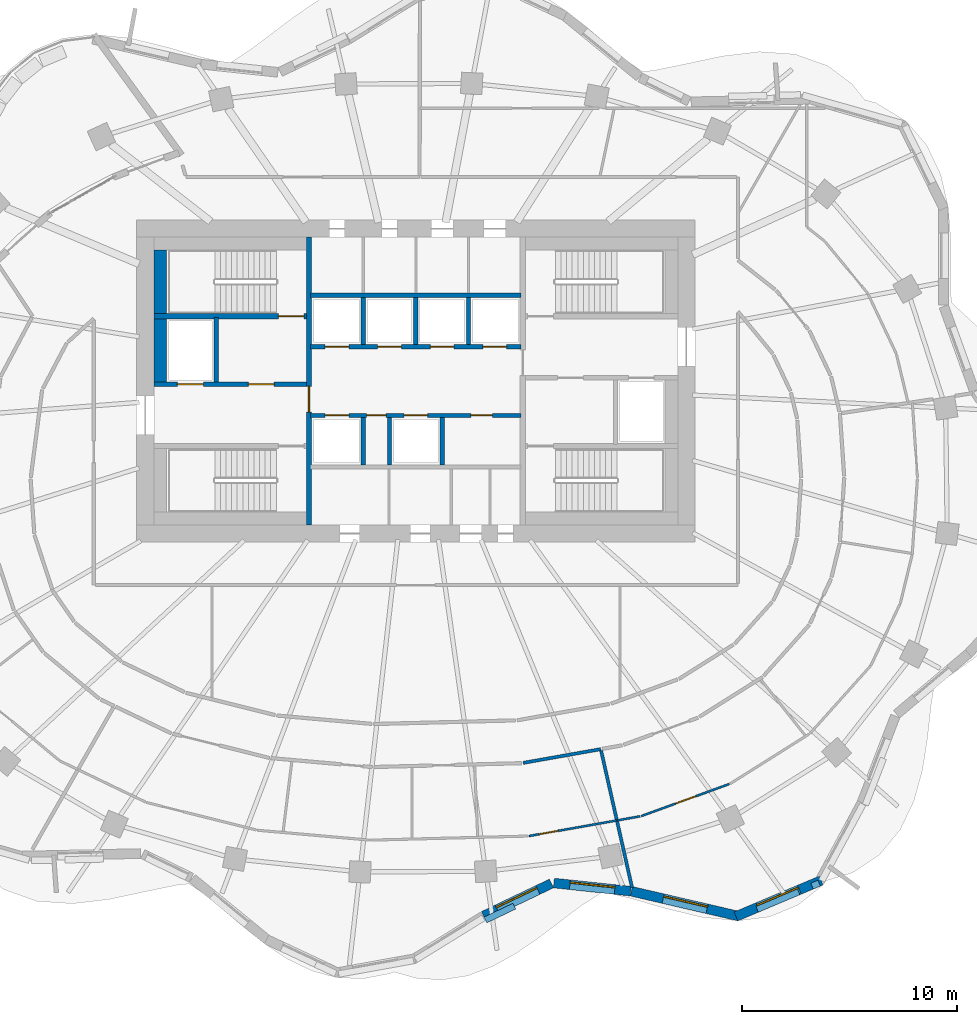
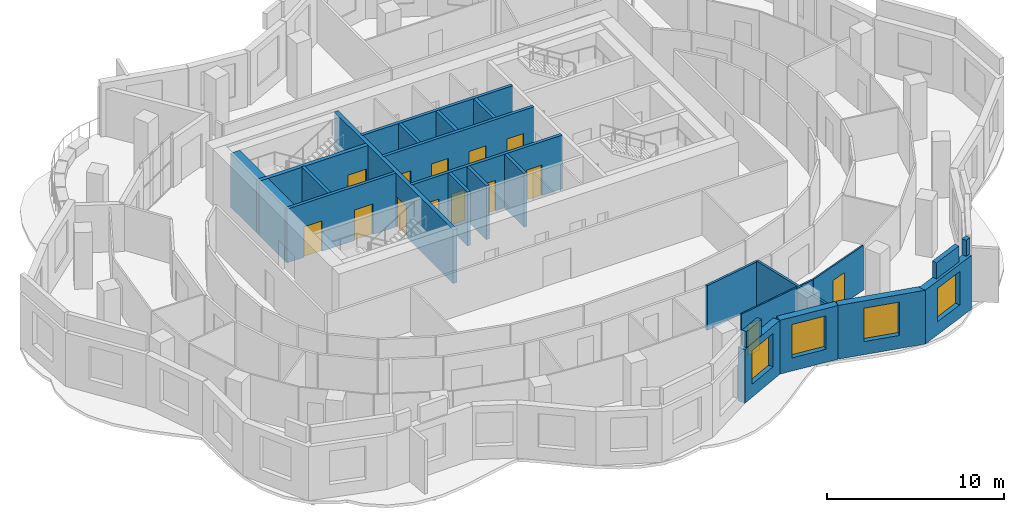
# One storey, part 7 of 13: 27 walls, 14 doors, 4 windows, 18 openings.
"""IFC4 building model written with IfcOpenShell, lengths in metres."""

from ifc_helpers import new_model, si_unit, direction, frame, frame_2d, origin, place, context, subcontext, project, spatial, rectangle, extrude, material, layer, layer_set, type_object, element, fill, save


model = new_model("IFC4")

# Units and contexts
model_context = context("Model", 3, precision=1e-05, world=origin(), true_north=direction((0.0, 1.0)))
body_context = subcontext(model_context, "Body", "Model", "MODEL_VIEW")
ifc_project = project(units=[si_unit("LENGTHUNIT", "METRE"), si_unit("AREAUNIT", "SQUARE_METRE"), si_unit("VOLUMEUNIT", "CUBIC_METRE"), si_unit("PLANEANGLEUNIT", "RADIAN"), si_unit("MASSUNIT", "GRAM", prefix="KILO")], contexts=[model_context])

# Site, building, storey
site_placement = place(None, origin())
site = spatial("IfcSite", under=ifc_project, at=site_placement, CompositionType="ELEMENT")
building_placement = place(site_placement, origin())
building = spatial("IfcBuilding", under=site, at=building_placement, Name="Rubra Terraces Tower", CompositionType="ELEMENT")
storey_placement = place(building_placement, frame((0.0, 0.0, 189.60009765625)))
storey = spatial("IfcBuildingStorey", under=building, at=storey_placement, Name="L46", CompositionType="ELEMENT", Elevation=189.60009765625)

# Wall, opening, window
ifc_material_1 = material(Name="Brick masonry red-brown", Category="masonry")
ifc_layer_1 = layer(ifc_material_1, 0.449951171875)
ifc_layer_set_1 = layer_set([ifc_layer_1], Name="Brick masonry red-brown")
wall_type_1 = type_object("IfcWallType", Name="Brick facade wall 450", PredefinedType="SOLIDWALL", material=ifc_layer_set_1)
wall_1_placement = place(storey_placement, frame((3.153564453125, -20.406005859375, 0.0), z_axis=(0.0, 0.0, 1.0), x_axis=(0.902333313, 0.431038968367, 0.0)))
wall_1 = element("IfcWall", 1, at=wall_1_placement, inside=storey, type_object=wall_type_1, Name="Facade wall L46 bay 32", PredefinedType="SOLIDWALL", context=body_context, shape_type="SweptSolid", body=[
    extrude(rectangle(XDim=3.50537109375, YDim=0.449951171875, at=frame_2d((1.752685546875, 0.0))), origin(), (0.0, 0.0, 1.0), 3.699951171875),
])
opening_1_placement = place(wall_1_placement, frame((0.702880859375, 0.0, 0.89990234375)))
opening_1 = element("IfcOpeningElement", 2, at=opening_1_placement, cuts=wall_1, Name="Opening W1B", PredefinedType="OPENING", context=body_context, shape_type="SweptSolid", body=[
    extrude(rectangle(XDim=2.10009765625, YDim=2.300048828125, at=frame_2d((1.050048828125, 1.14990234375))), frame((0.0, 0.23486328125, 0.0), z_axis=(0.0, -1.0, 0.0), x_axis=(1.0, 0.0, 0.0)), (0.0, 0.0, 1.0), 0.469970703125),
])
ifc_material_2 = material(Name="Clear glass in aluminium frame", Category="aluminium")
window_type = type_object("IfcWindowType", Name="Fixed deep-set window tall storey 2100 x 2300", PartitioningType="SINGLE_PANEL", PredefinedType="WINDOW", material=ifc_material_2)
window_1_placement = place(opening_1_placement, origin())
window_1 = element("IfcWindow", 3, at=window_1_placement, inside=storey, type_object=window_type, Name="Window L46 bay 32", OverallHeight=2.300048828125, OverallWidth=2.10009765625, PartitioningType="SINGLE_PANEL", PredefinedType="WINDOW", context=body_context, shape_type="SweptSolid", body=[
    extrude(rectangle(XDim=2.10009765625, YDim=2.300048828125, at=frame_2d((1.050048828125, 1.14990234375))), frame((0.0, 0.135009765625, 0.0), z_axis=(0.0, -1.0, 0.0), x_axis=(1.0, 0.0, 0.0)), (0.0, 0.0, 1.0), 0.06005859375),
])
fill(opening_1, window_1)

wall_2_placement = place(storey_placement, frame((6.4267578125, -18.875244140625, 0.0), z_axis=(0.0, 0.0, 1.0), x_axis=(0.994433468803, -0.10536638992, 0.0)))
wall_2 = element("IfcWall", 4, at=wall_2_placement, inside=storey, type_object=wall_type_1, Name="Facade wall L46 bay 33", PredefinedType="SOLIDWALL", context=body_context, shape_type="SweptSolid", body=[
    extrude(rectangle(XDim=3.598388671875, YDim=0.449951171875, at=frame_2d((1.79931640625, 0.0))), origin(), (0.0, 0.0, 1.0), 3.699951171875),
])
opening_2_placement = place(wall_2_placement, frame((0.749267578125, 0.0, 0.89990234375)))
opening_2 = element("IfcOpeningElement", 5, at=opening_2_placement, cuts=wall_2, Name="Opening W1B", PredefinedType="OPENING", context=body_context, shape_type="SweptSolid", body=[
    extrude(rectangle(XDim=2.10009765625, YDim=2.300048828125, at=frame_2d((1.050048828125, 1.14990234375))), frame((0.0, 0.23486328125, 0.0), z_axis=(0.0, -1.0, 0.0), x_axis=(1.0, 0.0, 0.0)), (0.0, 0.0, 1.0), 0.469970703125),
])
window_2_placement = place(opening_2_placement, origin())
window_2 = element("IfcWindow", 6, at=window_2_placement, inside=storey, type_object=window_type, Name="Window L46 bay 33", OverallHeight=2.300048828125, OverallWidth=2.10009765625, PartitioningType="SINGLE_PANEL", PredefinedType="WINDOW", context=body_context, shape_type="SweptSolid", body=[
    extrude(rectangle(XDim=2.10009765625, YDim=2.300048828125, at=frame_2d((1.050048828125, 1.14990234375))), frame((0.0, 0.135009765625, 0.0), z_axis=(0.0, -1.0, 0.0), x_axis=(1.0, 0.0, 0.0)), (0.0, 0.0, 1.0), 0.06005859375),
])
fill(opening_2, window_2)

wall_3_placement = place(storey_placement, frame((10.0341796875, -19.258544921875, 0.0), z_axis=(0.0, 0.0, 1.0), x_axis=(0.974223567844, -0.225584662283, 0.0)))
wall_3 = element("IfcWall", 7, at=wall_3_placement, inside=storey, type_object=wall_type_1, Name="Facade wall L46 bay 34", PredefinedType="SOLIDWALL", context=body_context, shape_type="SweptSolid", body=[
    extrude(rectangle(XDim=5.138671875, YDim=0.449951171875, at=frame_2d((2.5693359375, 0.0))), origin(), (0.0, 0.0, 1.0), 3.699951171875),
])
opening_3_placement = place(wall_3_placement, frame((1.51904296875, 0.0, 0.89990234375)))
opening_3 = element("IfcOpeningElement", 8, at=opening_3_placement, cuts=wall_3, Name="Opening W1B", PredefinedType="OPENING", context=body_context, shape_type="SweptSolid", body=[
    extrude(rectangle(XDim=2.10009765625, YDim=2.300048828125, at=frame_2d((1.050048828125, 1.14990234375))), frame((0.0, 0.23486328125, 0.0), z_axis=(0.0, -1.0, 0.0), x_axis=(1.0, 0.0, 0.0)), (0.0, 0.0, 1.0), 0.469970703125),
])
window_3_placement = place(opening_3_placement, origin())
window_3 = element("IfcWindow", 9, at=window_3_placement, inside=storey, type_object=window_type, Name="Window L46 bay 34", OverallHeight=2.300048828125, OverallWidth=2.10009765625, PartitioningType="SINGLE_PANEL", PredefinedType="WINDOW", context=body_context, shape_type="SweptSolid", body=[
    extrude(rectangle(XDim=2.10009765625, YDim=2.300048828125, at=frame_2d((1.050048828125, 1.14990234375))), frame((0.0, 0.135009765625, 0.0), z_axis=(0.0, -1.0, 0.0), x_axis=(1.0, 0.0, 0.0)), (0.0, 0.0, 1.0), 0.06005859375),
])
fill(opening_3, window_3)

wall_4_placement = place(storey_placement, frame((14.906494140625, -20.4306640625, 0.0), z_axis=(0.0, 0.0, 1.0), x_axis=(0.921435803521, 0.388530642279, 0.0)))
wall_4 = element("IfcWall", 10, at=wall_4_placement, inside=storey, type_object=wall_type_1, Name="Facade wall L46 bay 35", PredefinedType="SOLIDWALL", context=body_context, shape_type="SweptSolid", body=[
    extrude(rectangle(XDim=4.308837890625, YDim=0.449951171875, at=frame_2d((2.154296875, 0.0))), origin(), (0.0, 0.0, 1.0), 3.699951171875),
])
opening_4_placement = place(wall_4_placement, frame((1.104248046875, 0.0, 0.89990234375)))
opening_4 = element("IfcOpeningElement", 11, at=opening_4_placement, cuts=wall_4, Name="Opening W1B", PredefinedType="OPENING", context=body_context, shape_type="SweptSolid", body=[
    extrude(rectangle(XDim=2.10009765625, YDim=2.300048828125, at=frame_2d((1.050048828125, 1.14990234375))), frame((0.0, 0.23486328125, 0.0), z_axis=(0.0, -1.0, 0.0), x_axis=(1.0, 0.0, 0.0)), (0.0, 0.0, 1.0), 0.469970703125),
])
window_4_placement = place(opening_4_placement, origin())
window_4 = element("IfcWindow", 12, at=window_4_placement, inside=storey, type_object=window_type, Name="Window L46 bay 35", OverallHeight=2.300048828125, OverallWidth=2.10009765625, PartitioningType="SINGLE_PANEL", PredefinedType="WINDOW", context=body_context, shape_type="SweptSolid", body=[
    extrude(rectangle(XDim=2.10009765625, YDim=2.300048828125, at=frame_2d((1.050048828125, 1.14990234375))), frame((0.0, 0.135009765625, 0.0), z_axis=(0.0, -1.0, 0.0), x_axis=(1.0, 0.0, 0.0)), (0.0, 0.0, 1.0), 0.06005859375),
])
fill(opening_4, window_4)

# Walls
ifc_layer_2 = layer(ifc_material_1, 0.300048828125)
ifc_layer_set_2 = layer_set([ifc_layer_2], Name="Brick masonry red-brown")
wall_type_2 = type_object("IfcWallType", Name="Brick parapet 300", PredefinedType="PARAPET", material=ifc_layer_set_2)
wall_5_placement = place(storey_placement, frame((3.2392578125, -20.594482421875, 3.89990234375), z_axis=(0.0, 0.0, 1.0), x_axis=(0.902344893923, 0.431014724123, 0.0)))
element("IfcWall", 13, at=wall_5_placement, inside=storey, type_object=wall_type_2, Name="Parapet L46 bay 32", PredefinedType="PARAPET", context=body_context, shape_type="SweptSolid", body=[
    extrude(rectangle(XDim=1.48974609375, YDim=0.300048828125, at=frame_2d((0.744873046875, 0.0))), origin(), (0.0, 0.0, 1.0), 1.10009765625),
])
wall_6_placement = place(storey_placement, frame((15.890869140625, -20.096923828125, 3.89990234375), z_axis=(0.0, 0.0, 1.0), x_axis=(0.921468908678, 0.388452121038, 0.0)))
element("IfcWall", 14, at=wall_6_placement, inside=storey, type_object=wall_type_2, Name="Parapet L46 bay 35", PredefinedType="PARAPET", context=body_context, shape_type="SweptSolid", body=[
    extrude(rectangle(XDim=2.09912109375, YDim=0.300048828125, at=frame_2d((1.049560546875, 0.0))), origin(), (0.0, 0.0, 1.0), 1.10009765625),
])
wall_7_placement = place(storey_placement, frame((18.4462890625, -19.01953125, 3.89990234375), z_axis=(0.0, 0.0, 1.0), x_axis=(0.921356634102, 0.388718346358, 0.0)))
element("IfcWall", 15, at=wall_7_placement, inside=storey, type_object=wall_type_2, Name="Parapet L46 bay 35.2", PredefinedType="PARAPET", context=body_context, shape_type="SweptSolid", body=[
    extrude(rectangle(XDim=0.363037109375, YDim=0.300048828125, at=frame_2d((0.181640625, 0.0))), origin(), (0.0, 0.0, 1.0), 1.10009765625),
])
ifc_material_3 = material(Name="Plasterboard on steel stud, mineral wool infill", Category="steel")
ifc_layer_3 = layer(ifc_material_3, 0.14990234375)
ifc_layer_set_3 = layer_set([ifc_layer_3], Name="Plasterboard on steel stud, mineral wool infill")
wall_type_3 = type_object("IfcWallType", Name="CORRIDOR PARTITION 150", PredefinedType="PARTITIONING", material=ifc_layer_set_3)
wall_8_placement = place(storey_placement, frame((4.994873046875, -13.28125, 0.0), z_axis=(0.0, 0.0, 1.0), x_axis=(0.984641336619, 0.174589341658, 0.0)))
element("IfcWall", 16, at=wall_8_placement, inside=storey, type_object=wall_type_3, Name="PARTITION", PredefinedType="PARTITIONING", context=body_context, shape_type="SweptSolid", body=[
    extrude(rectangle(XDim=3.672119140625, YDim=0.14990234375, at=frame_2d((1.8359375, 0.0))), origin(), (0.0, 0.0, 1.0), 3.083984375),
])
ifc_material_4 = material(Name="Concrete C40", Category="concrete")
ifc_layer_4 = layer(ifc_material_4, 0.60009765625)
ifc_layer_set_4 = layer_set([ifc_layer_4], Name="Concrete C40")
wall_type_4 = type_object("IfcWallType", Name="Core lining wall 600 concrete", PredefinedType="SOLIDWALL", material=ifc_layer_set_4)
wall_9_placement = place(storey_placement, frame((-11.89990234375, 4.449951171875, 0.0), z_axis=(0.0, 0.0, 1.0), x_axis=(0.0, 1.0, 0.0)))
element("IfcWall", 17, at=wall_9_placement, inside=storey, type_object=wall_type_4, Name="CORE LINING WALL L46", PredefinedType="SOLIDWALL", context=body_context, shape_type="SweptSolid", body=[
    extrude(rectangle(XDim=3.0, YDim=0.60009765625, at=frame_2d((1.5, 0.0))), origin(), (0.0, 0.0, 1.0), 3.699951171875),
])
wall_10_placement = place(storey_placement, frame((-11.89990234375, 7.64990234375, 0.0), z_axis=(0.0, 0.0, 1.0), x_axis=(0.0, 1.0, 0.0)))
element("IfcWall", 18, at=wall_10_placement, inside=storey, type_object=wall_type_4, Name="CORE LINING WALL L46", PredefinedType="SOLIDWALL", context=body_context, shape_type="SweptSolid", body=[
    extrude(rectangle(XDim=2.9501953125, YDim=0.60009765625, at=frame_2d((1.47509765625, 0.0))), origin(), (0.0, 0.0, 1.0), 3.699951171875),
])

# Wall, openings, doors
ifc_material_5 = material(Name="Concrete C30", Category="concrete")
ifc_layer_5 = layer(ifc_material_5, 0.199951171875)
ifc_layer_set_5 = layer_set([ifc_layer_5], Name="Concrete C30")
wall_type_5 = type_object("IfcWallType", Name="Core wall 200 concrete", PredefinedType="SOLIDWALL", material=ifc_layer_set_5)
wall_11_placement = place(storey_placement, frame((-12.199951171875, 4.35009765625, 0.0), z_axis=(0.0, 0.0, 1.0), x_axis=(1.0, 0.0, 0.0)))
wall_11 = element("IfcWall", 19, at=wall_11_placement, inside=storey, type_object=wall_type_5, Name="STAIR WALL L46", PredefinedType="SOLIDWALL", context=body_context, shape_type="SweptSolid", body=[
    extrude(rectangle(XDim=7.099853515625, YDim=0.199951171875, at=frame_2d((3.5498046875, 0.0))), origin(), (0.0, 0.0, 1.0), 3.699951171875),
])
opening_5_placement = place(wall_11_placement, frame((4.39990234375, 0.0, 0.0)))
opening_5 = element("IfcOpeningElement", 20, at=opening_5_placement, cuts=wall_11, Name="Opening L46.C05", PredefinedType="OPENING", context=body_context, shape_type="SweptSolid", body=[
    extrude(rectangle(XDim=1.199951171875, YDim=2.10009765625, at=frame_2d((0.60009765625, 1.050048828125))), frame((0.0, 0.10986328125, 0.0), z_axis=(0.0, -1.0, 0.0), x_axis=(1.0, 0.0, 0.0)), (0.0, 0.0, 1.0), 0.219970703125),
])
opening_6_placement = place(wall_11_placement, frame((1.10009765625, 0.0, 0.0)))
opening_6 = element("IfcOpeningElement", 21, at=opening_6_placement, cuts=wall_11, Name="Opening L46.C11", PredefinedType="OPENING", context=body_context, shape_type="SweptSolid", body=[
    extrude(rectangle(XDim=1.199951171875, YDim=2.10009765625, at=frame_2d((0.60009765625, 1.050048828125))), frame((0.0, 0.10986328125, 0.0), z_axis=(0.0, -1.0, 0.0), x_axis=(1.0, 0.0, 0.0)), (0.0, 0.0, 1.0), 0.219970703125),
])
ifc_material_6 = material(Name="Painted steel", Category="steel")
door_type_1 = type_object("IfcDoorType", Name="Fire door 1200x2100 single", OperationType="NOTDEFINED", PredefinedType="DOOR", material=ifc_material_6)
door_1_placement = place(opening_5_placement, origin())
door_1 = element("IfcDoor", 22, at=door_1_placement, inside=storey, type_object=door_type_1, Name="Stair vestibule door S2", OperationType="SINGLE_SWING_LEFT", OverallHeight=2.10009765625, OverallWidth=1.199951171875, PredefinedType="DOOR", context=body_context, shape_type="SweptSolid", body=[
    extrude(rectangle(XDim=1.199951171875, YDim=2.10009765625, at=frame_2d((0.60009765625, 1.050048828125))), frame((0.0, 0.02490234375, 0.0), z_axis=(0.0, -1.0, 0.0), x_axis=(1.0, 0.0, 0.0)), (0.0, 0.0, 1.0), 0.050048828125),
])
fill(opening_5, door_1)
ifc_material_7 = material(Name="Stainless steel", Category="steel")
door_type_2 = type_object("IfcDoorType", Name="Lift landing door 1200x2100", OperationType="NOTDEFINED", PredefinedType="DOOR", material=ifc_material_7)
door_2_placement = place(opening_6_placement, origin())
door_2 = element("IfcDoor", 23, at=door_2_placement, inside=storey, type_object=door_type_2, Name="Landing door FF1", OperationType="SLIDING_TO_RIGHT", OverallHeight=2.10009765625, OverallWidth=1.199951171875, PredefinedType="DOOR", context=body_context, shape_type="SweptSolid", body=[
    extrude(rectangle(XDim=1.199951171875, YDim=2.10009765625, at=frame_2d((0.60009765625, 1.050048828125))), frame((0.0, 0.02490234375, 0.0), z_axis=(0.0, -1.0, 0.0), x_axis=(1.0, 0.0, 0.0)), (0.0, 0.0, 1.0), 0.050048828125),
])
fill(opening_6, door_2)

# Wall
wall_12_placement = place(storey_placement, frame((-9.300048828125, 4.449951171875, 0.0), z_axis=(0.0, 0.0, 1.0), x_axis=(0.0, 1.0, 0.0)))
element("IfcWall", 24, at=wall_12_placement, inside=storey, type_object=wall_type_5, Name="STAIR WALL L46", PredefinedType="SOLIDWALL", context=body_context, shape_type="SweptSolid", body=[
    extrude(rectangle(XDim=3.0, YDim=0.199951171875, at=frame_2d((1.5, 0.0))), origin(), (0.0, 0.0, 1.0), 3.699951171875),
])

# Wall, openings, doors
wall_13_placement = place(storey_placement, frame((-4.89990234375, 2.89990234375, 0.0), z_axis=(0.0, 0.0, 1.0), x_axis=(1.0, 0.0, 0.0)))
wall_13 = element("IfcWall", 25, at=wall_13_placement, inside=storey, type_object=wall_type_5, Name="LIFT SHAFT WALL L46", PredefinedType="SOLIDWALL", context=body_context, shape_type="SweptSolid", body=[
    extrude(rectangle(XDim=9.7998046875, YDim=0.199951171875, at=frame_2d((4.89990234375, 0.0))), origin(), (0.0, 0.0, 1.0), 3.699951171875),
])
opening_7_placement = place(wall_13_placement, frame((0.675048828125, 0.0, 0.0)))
opening_7 = element("IfcOpeningElement", 26, at=opening_7_placement, cuts=wall_13, Name="Opening L46.C13", PredefinedType="OPENING", context=body_context, shape_type="SweptSolid", body=[
    extrude(rectangle(XDim=1.10009765625, YDim=2.10009765625, at=frame_2d((0.550048828125, 1.050048828125))), frame((0.0, 0.10986328125, 0.0), z_axis=(0.0, -1.0, 0.0), x_axis=(1.0, 0.0, 0.0)), (0.0, 0.0, 1.0), 0.219970703125),
])
opening_8_placement = place(wall_13_placement, frame((2.613037109375, 0.0, 0.0)))
opening_8 = element("IfcOpeningElement", 27, at=opening_8_placement, cuts=wall_13, Name="Opening L46.C14", PredefinedType="OPENING", context=body_context, shape_type="SweptSolid", body=[
    extrude(rectangle(XDim=0.89990234375, YDim=2.10009765625, at=frame_2d((0.449951171875, 1.050048828125))), frame((0.0, 0.10986328125, 0.0), z_axis=(0.0, -1.0, 0.0), x_axis=(1.0, 0.0, 0.0)), (0.0, 0.0, 1.0), 0.219970703125),
])
opening_9_placement = place(wall_13_placement, frame((4.35009765625, 0.0, 0.0)))
opening_9 = element("IfcOpeningElement", 28, at=opening_9_placement, cuts=wall_13, Name="Opening L46.C15", PredefinedType="OPENING", context=body_context, shape_type="SweptSolid", body=[
    extrude(rectangle(XDim=1.10009765625, YDim=2.10009765625, at=frame_2d((0.550048828125, 1.050048828125))), frame((0.0, 0.10986328125, 0.0), z_axis=(0.0, -1.0, 0.0), x_axis=(1.0, 0.0, 0.0)), (0.0, 0.0, 1.0), 0.219970703125),
])
opening_10_placement = place(wall_13_placement, frame((7.462890625, 0.0, 0.0)))
opening_10 = element("IfcOpeningElement", 29, at=opening_10_placement, cuts=wall_13, Name="Opening L46.C16", PredefinedType="OPENING", context=body_context, shape_type="SweptSolid", body=[
    extrude(rectangle(XDim=1.0, YDim=2.10009765625, at=frame_2d((0.5, 1.050048828125))), frame((0.0, 0.10986328125, 0.0), z_axis=(0.0, -1.0, 0.0), x_axis=(1.0, 0.0, 0.0)), (0.0, 0.0, 1.0), 0.219970703125),
])
door_type_3 = type_object("IfcDoorType", Name="Fire door 1000x2100 single", OperationType="NOTDEFINED", PredefinedType="DOOR", material=ifc_material_6)
door_3_placement = place(opening_10_placement, origin())
door_3 = element("IfcDoor", 30, at=door_3_placement, inside=storey, type_object=door_type_3, Name="Tea point door", OperationType="SINGLE_SWING_RIGHT", OverallHeight=2.10009765625, OverallWidth=1.0, PredefinedType="DOOR", context=body_context, shape_type="SweptSolid", body=[
    extrude(rectangle(XDim=1.0, YDim=2.10009765625, at=frame_2d((0.5, 1.050048828125))), frame((0.0, 0.02490234375, 0.0), z_axis=(0.0, -1.0, 0.0), x_axis=(1.0, 0.0, 0.0)), (0.0, 0.0, 1.0), 0.050048828125),
])
fill(opening_10, door_3)
door_type_4 = type_object("IfcDoorType", Name="Fire door 900x2100 single", OperationType="NOTDEFINED", PredefinedType="DOOR", material=ifc_material_6)
door_4_placement = place(opening_8_placement, origin())
door_4 = element("IfcDoor", 31, at=door_4_placement, inside=storey, type_object=door_type_4, Name="Cleaner's store door", OperationType="SINGLE_SWING_RIGHT", OverallHeight=2.10009765625, OverallWidth=0.89990234375, PredefinedType="DOOR", context=body_context, shape_type="SweptSolid", body=[
    extrude(rectangle(XDim=0.89990234375, YDim=2.10009765625, at=frame_2d((0.449951171875, 1.050048828125))), frame((0.0, 0.02490234375, 0.0), z_axis=(0.0, -1.0, 0.0), x_axis=(1.0, 0.0, 0.0)), (0.0, 0.0, 1.0), 0.050048828125),
])
fill(opening_8, door_4)
door_type_5 = type_object("IfcDoorType", Name="Lift landing door 1100x2100", OperationType="NOTDEFINED", PredefinedType="DOOR", material=ifc_material_7)
door_5_placement = place(opening_7_placement, origin())
door_5 = element("IfcDoor", 32, at=door_5_placement, inside=storey, type_object=door_type_5, Name="Landing door HB1", OperationType="SLIDING_TO_RIGHT", OverallHeight=2.10009765625, OverallWidth=1.10009765625, PredefinedType="DOOR", context=body_context, shape_type="SweptSolid", body=[
    extrude(rectangle(XDim=1.10009765625, YDim=2.10009765625, at=frame_2d((0.550048828125, 1.050048828125))), frame((0.0, 0.02490234375, 0.0), z_axis=(0.0, -1.0, 0.0), x_axis=(1.0, 0.0, 0.0)), (0.0, 0.0, 1.0), 0.050048828125),
])
fill(opening_7, door_5)
door_6_placement = place(opening_9_placement, origin())
door_6 = element("IfcDoor", 33, at=door_6_placement, inside=storey, type_object=door_type_5, Name="Landing door HB2", OperationType="SLIDING_TO_LEFT", OverallHeight=2.10009765625, OverallWidth=1.10009765625, PredefinedType="DOOR", context=body_context, shape_type="SweptSolid", body=[
    extrude(rectangle(XDim=1.10009765625, YDim=2.10009765625, at=frame_2d((0.550048828125, 1.050048828125))), frame((0.0, 0.02490234375, 0.0), z_axis=(0.0, -1.0, 0.0), x_axis=(1.0, 0.0, 0.0)), (0.0, 0.0, 1.0), 0.050048828125),
])
fill(opening_9, door_6)

wall_14_placement = place(storey_placement, frame((-4.89990234375, 6.10009765625, 0.0), z_axis=(0.0, 0.0, 1.0), x_axis=(1.0, 0.0, 0.0)))
wall_14 = element("IfcWall", 34, at=wall_14_placement, inside=storey, type_object=wall_type_5, Name="LIFT SHAFT WALL L46", PredefinedType="SOLIDWALL", context=body_context, shape_type="SweptSolid", body=[
    extrude(rectangle(XDim=9.7998046875, YDim=0.199951171875, at=frame_2d((4.89990234375, 0.0))), origin(), (0.0, 0.0, 1.0), 3.699951171875),
])
opening_11_placement = place(wall_14_placement, frame((0.675048828125, 0.0, 0.0)))
opening_11 = element("IfcOpeningElement", 35, at=opening_11_placement, cuts=wall_14, Name="Opening L46.C17", PredefinedType="OPENING", context=body_context, shape_type="SweptSolid", body=[
    extrude(rectangle(XDim=1.10009765625, YDim=2.10009765625, at=frame_2d((0.550048828125, 1.050048828125))), frame((0.0, 0.10986328125, 0.0), z_axis=(0.0, -1.0, 0.0), x_axis=(1.0, 0.0, 0.0)), (0.0, 0.0, 1.0), 0.219970703125),
])
opening_12_placement = place(wall_14_placement, frame((3.125, 0.0, 0.0)))
opening_12 = element("IfcOpeningElement", 36, at=opening_12_placement, cuts=wall_14, Name="Opening L46.C18", PredefinedType="OPENING", context=body_context, shape_type="SweptSolid", body=[
    extrude(rectangle(XDim=1.10009765625, YDim=2.10009765625, at=frame_2d((0.550048828125, 1.050048828125))), frame((0.0, 0.10986328125, 0.0), z_axis=(0.0, -1.0, 0.0), x_axis=(1.0, 0.0, 0.0)), (0.0, 0.0, 1.0), 0.219970703125),
])
opening_13_placement = place(wall_14_placement, frame((5.574951171875, 0.0, 0.0)))
opening_13 = element("IfcOpeningElement", 37, at=opening_13_placement, cuts=wall_14, Name="Opening L46.C19", PredefinedType="OPENING", context=body_context, shape_type="SweptSolid", body=[
    extrude(rectangle(XDim=1.10009765625, YDim=2.10009765625, at=frame_2d((0.550048828125, 1.050048828125))), frame((0.0, 0.10986328125, 0.0), z_axis=(0.0, -1.0, 0.0), x_axis=(1.0, 0.0, 0.0)), (0.0, 0.0, 1.0), 0.219970703125),
])
opening_14_placement = place(wall_14_placement, frame((8.02490234375, 0.0, 0.0)))
opening_14 = element("IfcOpeningElement", 38, at=opening_14_placement, cuts=wall_14, Name="Opening L46.C20", PredefinedType="OPENING", context=body_context, shape_type="SweptSolid", body=[
    extrude(rectangle(XDim=1.10009765625, YDim=2.10009765625, at=frame_2d((0.550048828125, 1.050048828125))), frame((0.0, 0.10986328125, 0.0), z_axis=(0.0, -1.0, 0.0), x_axis=(1.0, 0.0, 0.0)), (0.0, 0.0, 1.0), 0.219970703125),
])
door_7_placement = place(opening_11_placement, origin())
door_7 = element("IfcDoor", 39, at=door_7_placement, inside=storey, type_object=door_type_5, Name="Landing door HB3", OperationType="SLIDING_TO_RIGHT", OverallHeight=2.10009765625, OverallWidth=1.10009765625, PredefinedType="DOOR", context=body_context, shape_type="SweptSolid", body=[
    extrude(rectangle(XDim=1.10009765625, YDim=2.10009765625, at=frame_2d((0.550048828125, 1.050048828125))), frame((0.0, 0.02490234375, 0.0), z_axis=(0.0, -1.0, 0.0), x_axis=(1.0, 0.0, 0.0)), (0.0, 0.0, 1.0), 0.050048828125),
])
fill(opening_11, door_7)
door_8_placement = place(opening_12_placement, origin())
door_8 = element("IfcDoor", 40, at=door_8_placement, inside=storey, type_object=door_type_5, Name="Landing door HB4", OperationType="SLIDING_TO_LEFT", OverallHeight=2.10009765625, OverallWidth=1.10009765625, PredefinedType="DOOR", context=body_context, shape_type="SweptSolid", body=[
    extrude(rectangle(XDim=1.10009765625, YDim=2.10009765625, at=frame_2d((0.550048828125, 1.050048828125))), frame((0.0, 0.02490234375, 0.0), z_axis=(0.0, -1.0, 0.0), x_axis=(1.0, 0.0, 0.0)), (0.0, 0.0, 1.0), 0.050048828125),
])
fill(opening_12, door_8)
door_9_placement = place(opening_13_placement, origin())
door_9 = element("IfcDoor", 41, at=door_9_placement, inside=storey, type_object=door_type_5, Name="Landing door HB5", OperationType="SLIDING_TO_RIGHT", OverallHeight=2.10009765625, OverallWidth=1.10009765625, PredefinedType="DOOR", context=body_context, shape_type="SweptSolid", body=[
    extrude(rectangle(XDim=1.10009765625, YDim=2.10009765625, at=frame_2d((0.550048828125, 1.050048828125))), frame((0.0, 0.02490234375, 0.0), z_axis=(0.0, -1.0, 0.0), x_axis=(1.0, 0.0, 0.0)), (0.0, 0.0, 1.0), 0.050048828125),
])
fill(opening_13, door_9)
door_10_placement = place(opening_14_placement, origin())
door_10 = element("IfcDoor", 42, at=door_10_placement, inside=storey, type_object=door_type_5, Name="Landing door HB6", OperationType="SLIDING_TO_LEFT", OverallHeight=2.10009765625, OverallWidth=1.10009765625, PredefinedType="DOOR", context=body_context, shape_type="SweptSolid", body=[
    extrude(rectangle(XDim=1.10009765625, YDim=2.10009765625, at=frame_2d((0.550048828125, 1.050048828125))), frame((0.0, 0.02490234375, 0.0), z_axis=(0.0, -1.0, 0.0), x_axis=(1.0, 0.0, 0.0)), (0.0, 0.0, 1.0), 0.050048828125),
])
fill(opening_14, door_10)

# Walls
wall_15_placement = place(storey_placement, frame((-4.89990234375, 8.5, 0.0), z_axis=(0.0, 0.0, 1.0), x_axis=(1.0, 0.0, 0.0)))
element("IfcWall", 43, at=wall_15_placement, inside=storey, type_object=wall_type_5, Name="LIFT SHAFT WALL L46", PredefinedType="SOLIDWALL", context=body_context, shape_type="SweptSolid", body=[
    extrude(rectangle(XDim=9.7998046875, YDim=0.199951171875, at=frame_2d((4.89990234375, 0.0))), origin(), (0.0, 0.0, 1.0), 3.699951171875),
])
for number, where, z_axis, x_axis, name in (
    (44, (-2.449951171875, 0.60009765625, 0.0), (0.0, 0.0, 1.0), (0.0, 1.0, 0.0), "LIFT SHAFT WALL L46"),
    (45, (-1.22509765625, 0.60009765625, 0.0), (0.0, 0.0, 1.0), (0.0, 1.0, 0.0), "LIFT SHAFT WALL L46"),
    (46, (1.22509765625, 0.60009765625, 0.0), (0.0, 0.0, 1.0), (0.0, 1.0, 0.0), "LIFT SHAFT WALL L46"),
    (47, (-2.449951171875, 6.199951171875, 0.0), (0.0, 0.0, 1.0), (0.0, 1.0, 0.0), "LIFT SHAFT WALL L46"),
    (48, (0.0, 6.199951171875, 0.0), (0.0, 0.0, 1.0), (0.0, 1.0, 0.0), "LIFT SHAFT WALL L46"),
    (49, (2.449951171875, 6.199951171875, 0.0), (0.0, 0.0, 1.0), (0.0, 1.0, 0.0), "LIFT SHAFT WALL L46"),
):
    element("IfcWall", number, at=place(storey_placement, frame(where, z_axis=z_axis, x_axis=x_axis)), inside=storey, type_object=wall_type_5, Name=name, PredefinedType="SOLIDWALL", context=body_context, shape_type="SweptSolid", body=[
        extrude(rectangle(XDim=2.199951171875, YDim=0.199951171875, at=frame_2d((1.10009765625, 0.0))), origin(), (0.0, 0.0, 1.0), 3.699951171875),
    ])

# Wall, opening, door
ifc_material_8 = material(Name="Plasterboard on steel stud", Category="steel")
ifc_layer_6 = layer(ifc_material_8, 0.10009765625)
ifc_layer_set_6 = layer_set([ifc_layer_6], Name="Plasterboard on steel stud")
wall_type_6 = type_object("IfcWallType", Name="ROOM PARTITION 100", PredefinedType="PARTITIONING", material=ifc_layer_set_6)
wall_16_placement = place(storey_placement, frame((9.341064453125, -15.963623046875, 0.0), z_axis=(0.0, 0.0, 1.0), x_axis=(-0.984642561651, -0.174582432638, 0.0)))
wall_16 = element("IfcWall", 50, at=wall_16_placement, inside=storey, type_object=wall_type_6, Name="PARTITION", PredefinedType="PARTITIONING", context=body_context, shape_type="SweptSolid", body=[
    extrude(rectangle(XDim=4.140625, YDim=0.10009765625, at=frame_2d((2.0703125, 0.0))), origin(), (0.0, 0.0, 1.0), 3.083984375),
])
opening_15_placement = place(wall_16_placement, frame((2.75, 0.0, 0.0)))
opening_15 = element("IfcOpeningElement", 51, at=opening_15_placement, cuts=wall_16, Name="Opening 46-111", PredefinedType="OPENING", context=body_context, shape_type="SweptSolid", body=[
    extrude(rectangle(XDim=0.89990234375, YDim=2.10009765625, at=frame_2d((0.449951171875, 1.050048828125))), frame((0.0, 0.06005859375, 0.0), z_axis=(0.0, -1.0, 0.0), x_axis=(1.0, 0.0, 0.0)), (0.0, 0.0, 1.0), 0.1201171875),
])
ifc_material_9 = material(Name="Painted timber door leaf", Category="wood")
door_type_6 = type_object("IfcDoorType", Name="ROOM DOOR 900 X 2100", OperationType="SINGLE_SWING_LEFT", PredefinedType="DOOR", material=ifc_material_9)
door_11_placement = place(opening_15_placement, origin())
door_11 = element("IfcDoor", 52, at=door_11_placement, inside=storey, type_object=door_type_6, Name="DOOR 46-111", OperationType="SINGLE_SWING_LEFT", OverallHeight=2.10009765625, OverallWidth=0.89990234375, PredefinedType="DOOR", context=body_context, shape_type="SweptSolid", body=[
    extrude(rectangle(XDim=0.89990234375, YDim=2.10009765625, at=frame_2d((0.449951171875, 1.050048828125))), frame((0.0, 0.02490234375, 0.0), z_axis=(0.0, -1.0, 0.0), x_axis=(1.0, 0.0, 0.0)), (0.0, 0.0, 1.0), 0.050048828125),
])
fill(opening_15, door_11)

wall_17_placement = place(storey_placement, frame((14.590087890625, -14.2666015625, 0.0), z_axis=(0.0, 0.0, 1.0), x_axis=(-0.939623405418, -0.342210251148, 0.0)))
wall_17 = element("IfcWall", 53, at=wall_17_placement, inside=storey, type_object=wall_type_6, Name="PARTITION", PredefinedType="PARTITIONING", context=body_context, shape_type="SweptSolid", body=[
    extrude(rectangle(XDim=4.36328125, YDim=0.10009765625, at=frame_2d((2.181640625, 0.0))), origin(), (0.0, 0.0, 1.0), 3.083984375),
])
opening_16_placement = place(wall_17_placement, frame((1.64990234375, 0.0, 0.0)))
opening_16 = element("IfcOpeningElement", 54, at=opening_16_placement, cuts=wall_17, Name="Opening 46-122", PredefinedType="OPENING", context=body_context, shape_type="SweptSolid", body=[
    extrude(rectangle(XDim=1.0, YDim=2.10009765625, at=frame_2d((0.5, 1.050048828125))), frame((0.0, 0.06005859375, 0.0), z_axis=(0.0, -1.0, 0.0), x_axis=(1.0, 0.0, 0.0)), (0.0, 0.0, 1.0), 0.1201171875),
])
door_type_7 = type_object("IfcDoorType", Name="ROOM DOOR 1000 X 2100", OperationType="SINGLE_SWING_LEFT", PredefinedType="DOOR", material=ifc_material_9)
door_12_placement = place(opening_16_placement, origin())
door_12 = element("IfcDoor", 55, at=door_12_placement, inside=storey, type_object=door_type_7, Name="DOOR 46-122", OperationType="SINGLE_SWING_RIGHT", OverallHeight=2.10009765625, OverallWidth=1.0, PredefinedType="DOOR", context=body_context, shape_type="SweptSolid", body=[
    extrude(rectangle(XDim=1.0, YDim=2.10009765625, at=frame_2d((0.5, 1.050048828125))), frame((0.0, 0.02490234375, 0.0), z_axis=(0.0, -1.0, 0.0), x_axis=(1.0, 0.0, 0.0)), (0.0, 0.0, 1.0), 0.050048828125),
])
fill(opening_16, door_12)

# Walls
wall_18_placement = place(storey_placement, frame((10.441162109375, -15.7685546875, 0.0), z_axis=(0.0, 0.0, 1.0), x_axis=(-0.984657825384, -0.174496323486, 0.0)))
element("IfcWall", 56, at=wall_18_placement, inside=storey, type_object=wall_type_6, Name="PARTITION", PredefinedType="PARTITIONING", context=body_context, shape_type="SweptSolid", body=[
    extrude(rectangle(XDim=1.077392578125, YDim=0.10009765625, at=frame_2d((0.53857421875, 0.0))), origin(), (0.0, 0.0, 1.0), 3.083984375),
])
ifc_layer_7 = layer(ifc_material_8, 0.14990234375)
ifc_layer_set_7 = layer_set([ifc_layer_7], Name="Plasterboard on steel stud")
wall_type_7 = type_object("IfcWallType", Name="ROOM PARTITION 150", PredefinedType="PARTITIONING", material=ifc_layer_set_7)
wall_19_placement = place(storey_placement, frame((10.068359375, -19.092529296875, 0.0), z_axis=(0.0, 0.0, 1.0), x_axis=(-0.22036399205, 0.975417711039, 0.0)))
element("IfcWall", 57, at=wall_19_placement, inside=storey, type_object=wall_type_7, Name="PARTITION", PredefinedType="PARTITIONING", context=body_context, shape_type="SweptSolid", body=[
    extrude(rectangle(XDim=6.539794921875, YDim=0.14990234375, at=frame_2d((3.27001953125, 0.0))), origin(), (0.0, 0.0, 1.0), 3.183837890625),
])

# Wall, opening, door
ifc_layer_8 = layer(ifc_material_4, 0.25)
ifc_layer_set_8 = layer_set([ifc_layer_8], Name="Concrete C40")
wall_type_8 = type_object("IfcWallType", Name="Stair enclosure wall 250 concrete", PredefinedType="SOLIDWALL", material=ifc_layer_set_8)
wall_20_placement = place(storey_placement, frame((-12.199951171875, 7.52490234375, 0.0), z_axis=(0.0, 0.0, 1.0), x_axis=(1.0, 0.0, 0.0)))
wall_20 = element("IfcWall", 58, at=wall_20_placement, inside=storey, type_object=wall_type_8, Name="STAIR WALL L46", PredefinedType="SOLIDWALL", context=body_context, shape_type="SweptSolid", body=[
    extrude(rectangle(XDim=7.099853515625, YDim=0.25, at=frame_2d((3.5498046875, 0.0))), origin(), (0.0, 0.0, 1.0), 3.699951171875),
])
opening_17_placement = place(wall_20_placement, frame((5.800048828125, 0.0, 0.0)))
opening_17 = element("IfcOpeningElement", 59, at=opening_17_placement, cuts=wall_20, Name="Opening L46.C09", PredefinedType="OPENING", context=body_context, shape_type="SweptSolid", body=[
    extrude(rectangle(XDim=1.199951171875, YDim=2.10009765625, at=frame_2d((0.60009765625, 1.050048828125))), frame((0.0, 0.135009765625, 0.0), z_axis=(0.0, -1.0, 0.0), x_axis=(1.0, 0.0, 0.0)), (0.0, 0.0, 1.0), 0.27001953125),
])
door_13_placement = place(opening_17_placement, origin())
door_13 = element("IfcDoor", 60, at=door_13_placement, inside=storey, type_object=door_type_1, Name="Stair door S2", OperationType="SINGLE_SWING_LEFT", OverallHeight=2.10009765625, OverallWidth=1.199951171875, PredefinedType="DOOR", context=body_context, shape_type="SweptSolid", body=[
    extrude(rectangle(XDim=1.199951171875, YDim=2.10009765625, at=frame_2d((0.60009765625, 1.050048828125))), frame((0.0, 0.02490234375, 0.0), z_axis=(0.0, -1.0, 0.0), x_axis=(1.0, 0.0, 0.0)), (0.0, 0.0, 1.0), 0.050048828125),
])
fill(opening_17, door_13)

wall_21_placement = place(storey_placement, frame((-4.97509765625, -2.199951171875, 0.0), z_axis=(0.0, 0.0, 1.0), x_axis=(0.0, 1.0, 0.0)))
wall_21 = element("IfcWall", 61, at=wall_21_placement, inside=storey, type_object=wall_type_8, Name="CORE LOBBY WALL L46", PredefinedType="SOLIDWALL", context=body_context, shape_type="SweptSolid", body=[
    extrude(rectangle(XDim=13.39990234375, YDim=0.25, at=frame_2d((6.699951171875, 0.0))), origin(), (0.0, 0.0, 1.0), 3.699951171875),
])
opening_18_placement = place(wall_21_placement, frame((5.25, 0.0, 0.0)))
opening_18 = element("IfcOpeningElement", 62, at=opening_18_placement, cuts=wall_21, Name="Opening L46.C03", PredefinedType="OPENING", context=body_context, shape_type="SweptSolid", body=[
    extrude(rectangle(XDim=1.199951171875, YDim=2.10009765625, at=frame_2d((0.60009765625, 1.050048828125))), frame((0.0, 0.135009765625, 0.0), z_axis=(0.0, -1.0, 0.0), x_axis=(1.0, 0.0, 0.0)), (0.0, 0.0, 1.0), 0.27001953125),
])
door_14_placement = place(opening_18_placement, origin())
door_14 = element("IfcDoor", 63, at=door_14_placement, inside=storey, type_object=door_type_1, Name="Firefighting lobby door FF1", OperationType="SINGLE_SWING_LEFT", OverallHeight=2.10009765625, OverallWidth=1.199951171875, PredefinedType="DOOR", context=body_context, shape_type="SweptSolid", body=[
    extrude(rectangle(XDim=1.199951171875, YDim=2.10009765625, at=frame_2d((0.60009765625, 1.050048828125))), frame((0.0, 0.02490234375, 0.0), z_axis=(0.0, -1.0, 0.0), x_axis=(1.0, 0.0, 0.0)), (0.0, 0.0, 1.0), 0.050048828125),
])
fill(opening_18, door_14)

save(model, "model.ifc")
